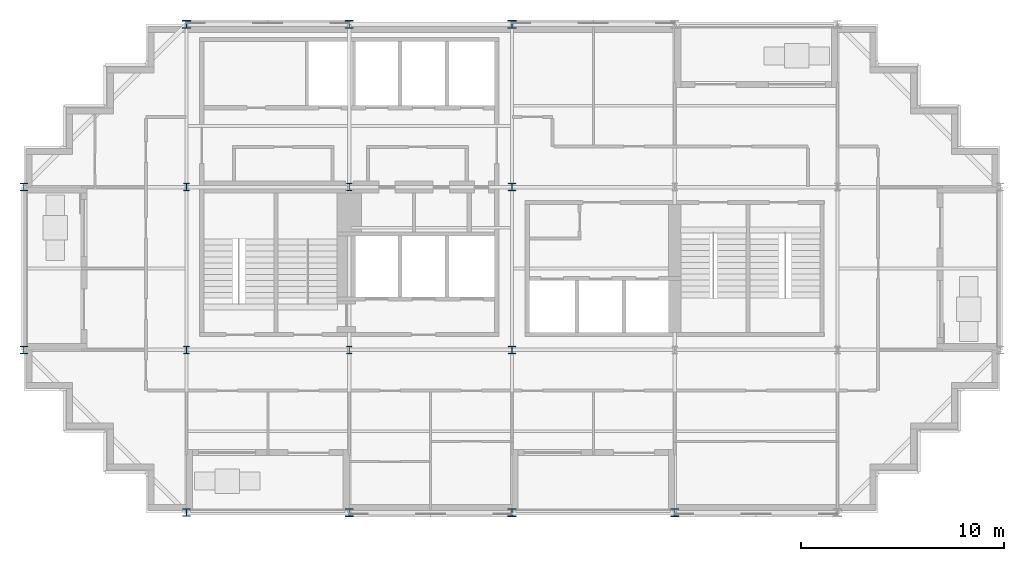
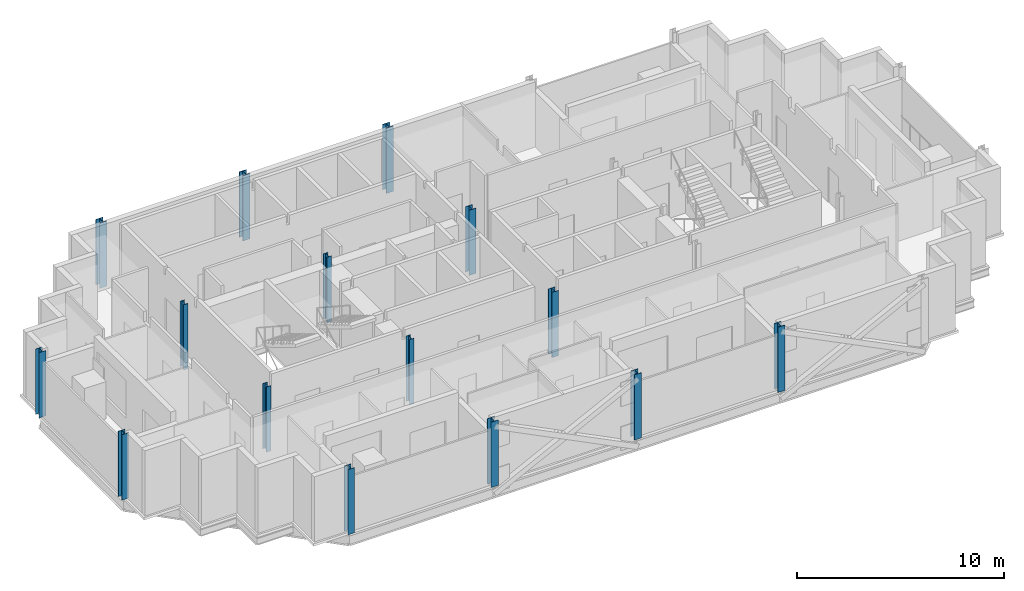
# One storey, part 1 of 10: 15 columns.
"""IFC4 building model written with IfcOpenShell, lengths in metres."""

from ifc_helpers import new_model, si_unit, direction, frame, origin, origin_2d, place, context, subcontext, project, spatial, i_section, extrude, material, material_profile, profile_set, type_object, element, save


model = new_model("IFC4")

# Units and contexts
model_context = context("Model", 3, precision=1e-05, world=origin(), true_north=direction((0.0, 1.0)))
body_context = subcontext(model_context, "Body", "Model", "MODEL_VIEW")
ifc_project = project(units=[si_unit("LENGTHUNIT", "METRE"), si_unit("AREAUNIT", "SQUARE_METRE"), si_unit("VOLUMEUNIT", "CUBIC_METRE"), si_unit("PLANEANGLEUNIT", "RADIAN"), si_unit("MASSUNIT", "GRAM", prefix="KILO")], contexts=[model_context])

# Site, building, storey
site_placement = place(None, origin())
site = spatial("IfcSite", under=ifc_project, at=site_placement, CompositionType="ELEMENT")
building_placement = place(site_placement, origin())
building = spatial("IfcBuilding", under=site, at=building_placement, Name="Immortelle Media Tower", CompositionType="ELEMENT")
storey_placement = place(building_placement, frame((0.0, 0.0, 291.0)))
storey = spatial("IfcBuildingStorey", under=building, at=storey_placement, Name="L64", CompositionType="ELEMENT", Elevation=291.0)

# Columns
ifc_material = material(Name="Steel ASTM A992 Gr 50", Category="steel")
ifc_material_profile_1 = material_profile(ifc_material, i_section(OverallWidth=0.373046875, OverallDepth=0.367919921875, WebThickness=0.014892578125, FlangeThickness=0.02392578125, at=origin_2d()), Name="W14x120")
ifc_profile_set_1 = profile_set([ifc_material_profile_1], Name="Steel ASTM A992 Gr 50")
column_type_1 = type_object("IfcColumnType", Name="W14x120 column", PredefinedType="COLUMN", material=ifc_profile_set_1)
for number, where, z_axis, x_axis, name in (
    (1, (0.0, 8.0, 0.0), (0.0, 0.0, 1.0), (1.0, 0.0, 0.0), "Column 1/B"),
    (2, (0.0, 16.0, 0.0), (0.0, 0.0, 1.0), (1.0, 0.0, 0.0), "Column 1/C"),
    (3, (8.0, 0.0, 0.0), (0.0, 0.0, 1.0), (1.0, 0.0, 0.0), "Column 2/A"),
):
    element("IfcColumn", number, at=place(storey_placement, frame(where, z_axis=z_axis, x_axis=x_axis)), inside=storey, type_object=column_type_1, Name=name, PredefinedType="COLUMN", context=body_context, shape_type="SweptSolid", body=[
        extrude(i_section(OverallWidth=0.373046875, OverallDepth=0.367919921875, WebThickness=0.014892578125, FlangeThickness=0.02392578125, at=origin_2d()), origin(), (0.0, 0.0, 1.0), 3.85009765625),
    ])
ifc_material_profile_2 = material_profile(ifc_material, i_section(OverallWidth=0.39892578125, OverallDepth=0.385986328125, WebThickness=0.02099609375, FlangeThickness=0.032958984375, at=origin_2d()), Name="W14x176")
ifc_profile_set_2 = profile_set([ifc_material_profile_2], Name="Steel ASTM A992 Gr 50")
column_type_2 = type_object("IfcColumnType", Name="W14x176 column", PredefinedType="COLUMN", material=ifc_profile_set_2)
for number, where, z_axis, x_axis, name in (
    (4, (8.0, 24.0, 0.0), (0.0, 0.0, 1.0), (1.0, 0.0, 0.0), "Column 2/D"),
    (5, (16.0, 0.0, 0.0), (0.0, 0.0, 1.0), (1.0, 0.0, 0.0), "Column 3/A"),
    (6, (16.0, 24.0, 0.0), (0.0, 0.0, 1.0), (1.0, 0.0, 0.0), "Column 3/D"),
    (7, (24.0, 0.0, 0.0), (0.0, 0.0, 1.0), (1.0, 0.0, 0.0), "Column 4/A"),
    (8, (24.0, 24.0, 0.0), (0.0, 0.0, 1.0), (1.0, 0.0, 0.0), "Column 4/D"),
    (9, (32.0, 0.0, 0.0), (0.0, 0.0, 1.0), (1.0, 0.0, 0.0), "Column 5/A"),
):
    element("IfcColumn", number, at=place(storey_placement, frame(where, z_axis=z_axis, x_axis=x_axis)), inside=storey, type_object=column_type_2, Name=name, PredefinedType="COLUMN", context=body_context, shape_type="SweptSolid", body=[
        extrude(i_section(OverallWidth=0.39892578125, OverallDepth=0.385986328125, WebThickness=0.02099609375, FlangeThickness=0.032958984375, at=origin_2d()), origin(), (0.0, 0.0, 1.0), 3.85009765625),
    ])
ifc_material_profile_3 = material_profile(ifc_material, i_section(OverallWidth=0.257080078125, OverallDepth=0.363037109375, WebThickness=0.012939453125, FlangeThickness=0.02197265625, at=origin_2d()), Name="W14x82")
ifc_profile_set_3 = profile_set([ifc_material_profile_3], Name="Steel ASTM A992 Gr 50")
column_type_3 = type_object("IfcColumnType", Name="W14x82 column", PredefinedType="COLUMN", material=ifc_profile_set_3)
for number, where, z_axis, x_axis, name in (
    (10, (8.0, 8.0, 0.0), (0.0, 0.0, 1.0), (1.0, 0.0, 0.0), "Column 2/B"),
    (11, (8.0, 16.0, 0.0), (0.0, 0.0, 1.0), (1.0, 0.0, 0.0), "Column 2/C"),
    (12, (16.0, 8.0, 0.0), (0.0, 0.0, 1.0), (1.0, 0.0, 0.0), "Column 3/B"),
    (13, (16.0, 16.0, 0.0), (0.0, 0.0, 1.0), (1.0, 0.0, 0.0), "Column 3/C"),
):
    element("IfcColumn", number, at=place(storey_placement, frame(where, z_axis=z_axis, x_axis=x_axis)), inside=storey, type_object=column_type_3, Name=name, PredefinedType="COLUMN", context=body_context, shape_type="SweptSolid", body=[
        extrude(i_section(OverallWidth=0.257080078125, OverallDepth=0.363037109375, WebThickness=0.012939453125, FlangeThickness=0.02197265625, at=origin_2d()), origin(), (0.0, 0.0, 1.0), 3.85009765625),
    ])
ifc_material_profile_4 = material_profile(ifc_material, i_section(OverallWidth=0.37109375, OverallDepth=0.361083984375, WebThickness=0.011962890625, FlangeThickness=0.02001953125, at=origin_2d()), Name="W14x99")
ifc_profile_set_4 = profile_set([ifc_material_profile_4], Name="Steel ASTM A992 Gr 50")
column_type_4 = type_object("IfcColumnType", Name="W14x99 column", PredefinedType="COLUMN", material=ifc_profile_set_4)
for number, where, z_axis, x_axis, name in (
    (14, (24.0, 8.0, 0.0), (0.0, 0.0, 1.0), (1.0, 0.0, 0.0), "Column 4/B"),
    (15, (24.0, 16.0, 0.0), (0.0, 0.0, 1.0), (1.0, 0.0, 0.0), "Column 4/C"),
):
    element("IfcColumn", number, at=place(storey_placement, frame(where, z_axis=z_axis, x_axis=x_axis)), inside=storey, type_object=column_type_4, Name=name, PredefinedType="COLUMN", context=body_context, shape_type="SweptSolid", body=[
        extrude(i_section(OverallWidth=0.37109375, OverallDepth=0.361083984375, WebThickness=0.011962890625, FlangeThickness=0.02001953125, at=origin_2d()), origin(), (0.0, 0.0, 1.0), 3.85009765625),
    ])

save(model, "model.ifc")
